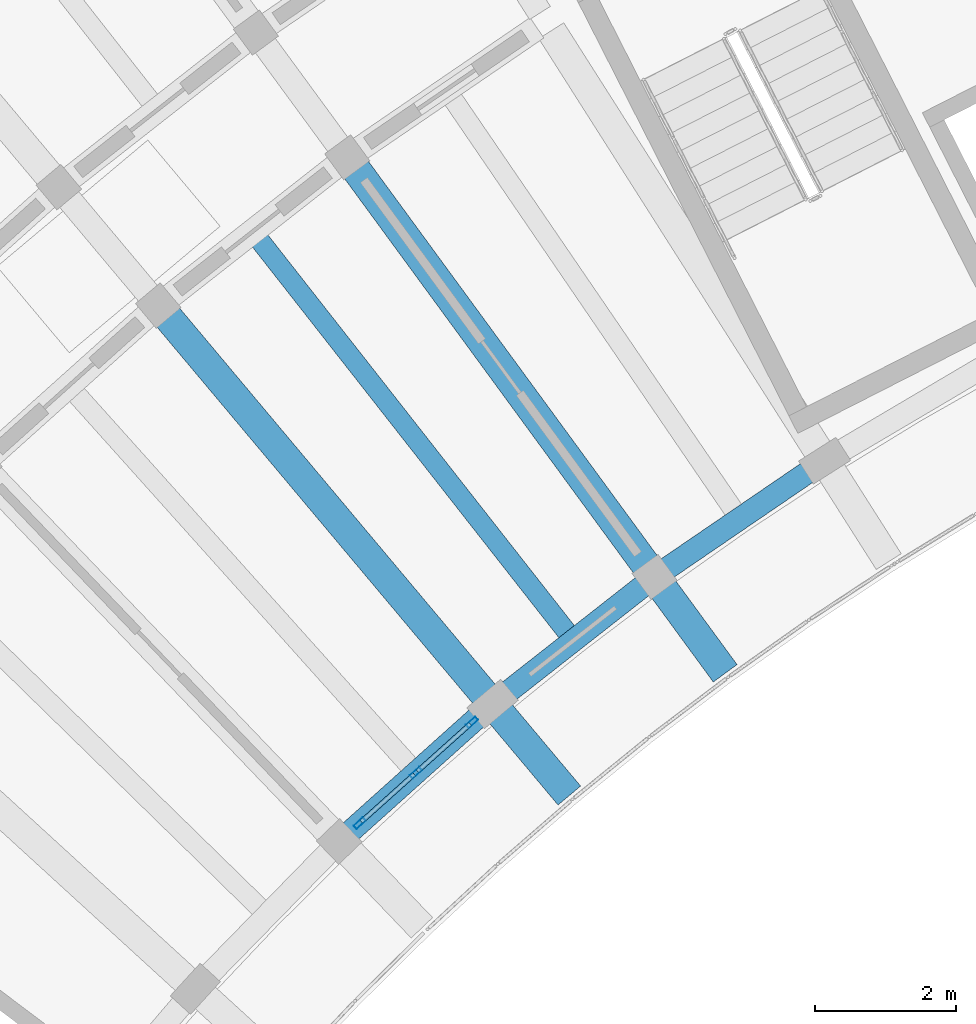
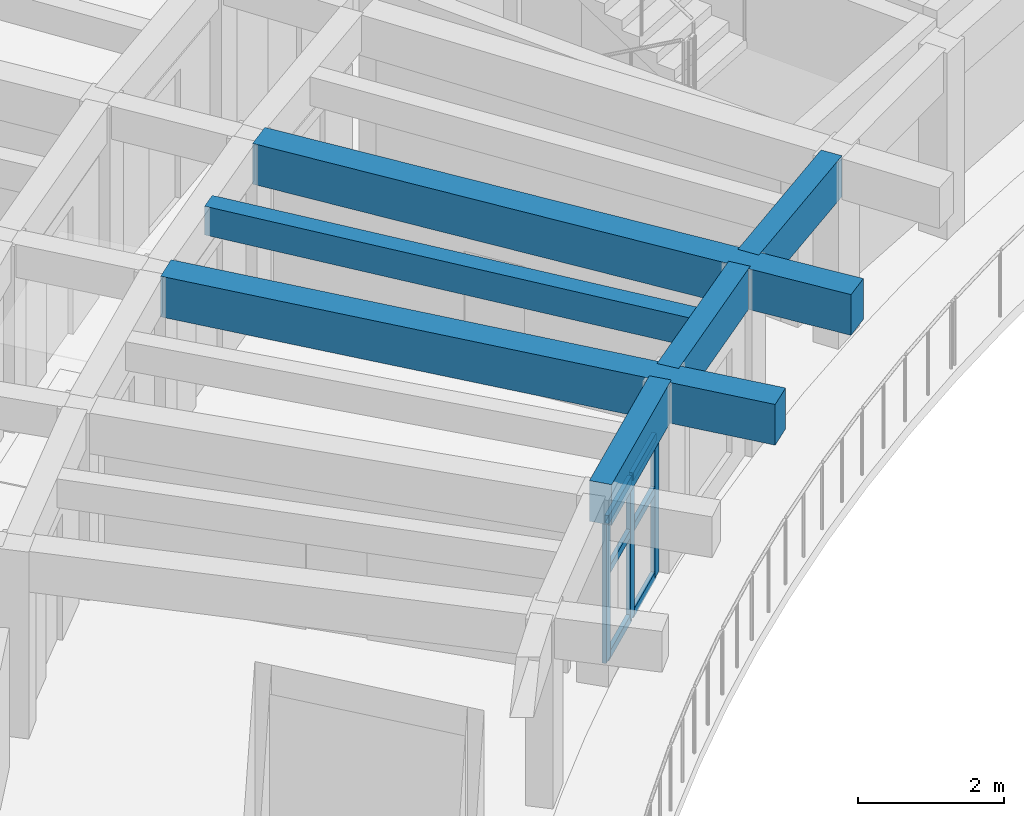
# One storey, part 4 of 19: 9 members, 6 beams, 1 element without a shape of its own.
"""IFC4 building model written with IfcOpenShell, lengths in metres."""

from ifc_helpers import new_model, si_unit, direction, frame, origin, origin_2d, place, context, subcontext, project, spatial, rectangle, hollow_rectangle, extrude, material, material_profile, profile_set, type_object, element, aggregate, save


model = new_model("IFC4")

# Units and contexts
model_context = context("Model", 3, precision=1e-05, world=origin(), true_north=direction((0.0, 1.0)))
body_context = subcontext(model_context, "Body", "Model", "MODEL_VIEW")
ifc_project = project(units=[si_unit("LENGTHUNIT", "METRE"), si_unit("AREAUNIT", "SQUARE_METRE"), si_unit("VOLUMEUNIT", "CUBIC_METRE"), si_unit("PLANEANGLEUNIT", "RADIAN"), si_unit("MASSUNIT", "GRAM", prefix="KILO")], contexts=[model_context])

# Site, building, storey
site_placement = place(None, origin())
site = spatial("IfcSite", under=ifc_project, at=site_placement, CompositionType="ELEMENT")
building_placement = place(site_placement, origin())
building = spatial("IfcBuilding", under=site, at=building_placement, Name="Tanwirah Colonnade Gardens", CompositionType="ELEMENT")
storey_placement = place(building_placement, frame((0.0, 0.0, 45.800048828125)))
storey = spatial("IfcBuildingStorey", under=building, at=storey_placement, Name="L13", CompositionType="ELEMENT", Elevation=45.800048828125)

# Beams
ifc_material_1 = material(Name="Precast concrete C45/55", Category="concrete")
ifc_material_profile_1 = material_profile(ifc_material_1, rectangle(XDim=0.419921875, YDim=0.679931640625, at=origin_2d()), Name="PC-BM 420x680")
ifc_profile_set_1 = profile_set([ifc_material_profile_1], Name="Precast concrete C45/55")
beam_type_1 = type_object("IfcBeamType", Name="BM-PC420", PredefinedType="BEAM", material=ifc_profile_set_1)
for number, where, z_axis, x_axis, name in (
    (1, (34.449462890625, 101.907958984375, 2.780029296875), (0.590927205009, -0.806724883947, 0.0), (0.806724883947, 0.590927205009, 0.0), "Block A L13 Inner Radial Precast Girder 8"),
    (2, (31.767822265625, 99.804443359375, 2.780029296875), (0.64279407932, -0.766039014406, 0.0), (0.766039014406, 0.64279407932, 0.0), "Block A L13 Inner Radial Precast Girder 9"),
):
    element("IfcBeam", number, at=place(storey_placement, frame(where, z_axis=z_axis, x_axis=x_axis)), inside=storey, type_object=beam_type_1, Name=name, PredefinedType="BEAM", context=body_context, shape_type="SweptSolid", body=[
        extrude(rectangle(XDim=0.419921875, YDim=0.679931640625, at=origin_2d()), origin(), (0.0, 0.0, 1.0), 8.949951171875),
    ])

# Curtain wall, members
ifc_material_2 = material(Name="Bronze-anodised aluminium and solar-control low-E glass", Category="aluminium")
curtain_wall_type = type_object("IfcCurtainWallType", Name="CW-GDN", PredefinedType="NOTDEFINED", material=ifc_material_2)
curtain_wall_placement = place(storey_placement, origin())
curtain_wall = element("IfcCurtainWall", 3, at=curtain_wall_placement, inside=storey, type_object=curtain_wall_type, Name="Curtain Wall CW-A-L13-IN-09", PredefinedType="NOTDEFINED")
ifc_material_3 = material(Name="Bronze-anodised aluminium", Category="aluminium")
ifc_material_profile_2 = material_profile(ifc_material_3, hollow_rectangle(XDim=0.06494140625, YDim=0.179931640625, WallThickness=0.00390625, at=origin_2d()), Name="CW-MUL 65x180x4")
ifc_profile_set_2 = profile_set([ifc_material_profile_2], Name="Bronze-anodised aluminium")
member_type_1 = type_object("IfcMemberType", Name="CWM-65x180", PredefinedType="MULLION", material=ifc_profile_set_2)
member_1_placement = place(storey_placement, frame((36.135986328125, 93.988525390625, 0.0), z_axis=(0.0, 0.0, 1.0), x_axis=(0.667689182798, -0.744440162253, 0.0)))
member_1 = element("IfcMember", 4, at=member_1_placement, type_object=member_type_1, Name="CW-GDN mullion 1", PredefinedType="MULLION", context=body_context, shape_type="SweptSolid", body=[
    extrude(hollow_rectangle(XDim=0.06494140625, YDim=0.179931640625, WallThickness=0.00390625, at=origin_2d()), origin(), (0.0, 0.0, 1.0), 2.35498046875),
])
member_2_placement = place(storey_placement, frame((35.33740234375, 93.2724609375, 0.0), z_axis=(0.0, 0.0, 1.0), x_axis=(0.667689182798, -0.744440162253, 0.0)))
member_2 = element("IfcMember", 5, at=member_2_placement, type_object=member_type_1, Name="CW-GDN mullion 2", PredefinedType="MULLION", context=body_context, shape_type="SweptSolid", body=[
    extrude(hollow_rectangle(XDim=0.06494140625, YDim=0.179931640625, WallThickness=0.00390625, at=origin_2d()), origin(), (0.0, 0.0, 1.0), 2.35498046875),
])
member_3_placement = place(storey_placement, frame((34.538818359375, 92.55615234375, 0.0), z_axis=(0.0, 0.0, 1.0), x_axis=(0.667689182798, -0.744440162253, 0.0)))
member_3 = element("IfcMember", 6, at=member_3_placement, type_object=member_type_1, Name="CW-GDN mullion 3", PredefinedType="MULLION", context=body_context, shape_type="SweptSolid", body=[
    extrude(hollow_rectangle(XDim=0.06494140625, YDim=0.179931640625, WallThickness=0.00390625, at=origin_2d()), origin(), (0.0, 0.0, 1.0), 2.35498046875),
])
ifc_material_profile_3 = material_profile(ifc_material_3, hollow_rectangle(XDim=0.06494140625, YDim=0.135009765625, WallThickness=0.00390625, at=origin_2d()), Name="CW-TRN 65x135x4")
ifc_profile_set_3 = profile_set([ifc_material_profile_3], Name="Bronze-anodised aluminium")
member_type_2 = type_object("IfcMemberType", Name="CWT-65x135", PredefinedType="USERDEFINED", material=ifc_profile_set_3)
member_4_placement = place(storey_placement, frame((36.11181640625, 93.966796875, 0.032470703125), z_axis=(-0.744581898821, -0.667531119835, 0.0), x_axis=(0.667531119835, -0.744581898821, 0.0)))
member_4 = element("IfcMember", 7, at=member_4_placement, type_object=member_type_2, Name="CW-GDN transom 1.1", ObjectType="TRANSOM", PredefinedType="USERDEFINED", context=body_context, shape_type="SweptSolid", body=[
    extrude(hollow_rectangle(XDim=0.06494140625, YDim=0.135009765625, WallThickness=0.00390625, at=origin_2d()), origin(), (0.0, 0.0, 1.0), 1.007568359375),
])
member_5_placement = place(storey_placement, frame((36.11181640625, 93.966796875, 1.4599609375), z_axis=(-0.744581898821, -0.667531119835, 0.0), x_axis=(0.667531119835, -0.744581898821, 0.0)))
member_5 = element("IfcMember", 8, at=member_5_placement, type_object=member_type_2, Name="CW-GDN transom 1.2", ObjectType="TRANSOM", PredefinedType="USERDEFINED", context=body_context, shape_type="SweptSolid", body=[
    extrude(hollow_rectangle(XDim=0.06494140625, YDim=0.135009765625, WallThickness=0.00390625, at=origin_2d()), origin(), (0.0, 0.0, 1.0), 1.007568359375),
])
member_6_placement = place(storey_placement, frame((36.11181640625, 93.966796875, 2.322509765625), z_axis=(-0.744581898821, -0.667531119835, 0.0), x_axis=(0.667531119835, -0.744581898821, 0.0)))
member_6 = element("IfcMember", 9, at=member_6_placement, type_object=member_type_2, Name="CW-GDN transom 1.3", ObjectType="TRANSOM", PredefinedType="USERDEFINED", context=body_context, shape_type="SweptSolid", body=[
    extrude(hollow_rectangle(XDim=0.06494140625, YDim=0.135009765625, WallThickness=0.00390625, at=origin_2d()), origin(), (0.0, 0.0, 1.0), 1.007568359375),
])
member_7_placement = place(storey_placement, frame((35.313232421875, 93.250732421875, 0.032470703125), z_axis=(-0.744461476402, -0.667665417821, 0.0), x_axis=(0.667665417821, -0.744461476402, 0.0)))
member_7 = element("IfcMember", 10, at=member_7_placement, type_object=member_type_2, Name="CW-GDN transom 2.1", ObjectType="TRANSOM", PredefinedType="USERDEFINED", context=body_context, shape_type="SweptSolid", body=[
    extrude(hollow_rectangle(XDim=0.06494140625, YDim=0.135009765625, WallThickness=0.00390625, at=origin_2d()), origin(), (0.0, 0.0, 1.0), 1.0078125),
])
member_8_placement = place(storey_placement, frame((35.313232421875, 93.250732421875, 1.4599609375), z_axis=(-0.744461476402, -0.667665417821, 0.0), x_axis=(0.667665417821, -0.744461476402, 0.0)))
member_8 = element("IfcMember", 11, at=member_8_placement, type_object=member_type_2, Name="CW-GDN transom 2.2", ObjectType="TRANSOM", PredefinedType="USERDEFINED", context=body_context, shape_type="SweptSolid", body=[
    extrude(hollow_rectangle(XDim=0.06494140625, YDim=0.135009765625, WallThickness=0.00390625, at=origin_2d()), origin(), (0.0, 0.0, 1.0), 1.0078125),
])
member_9_placement = place(storey_placement, frame((35.313232421875, 93.250732421875, 2.322509765625), z_axis=(-0.744461476402, -0.667665417821, 0.0), x_axis=(0.667665417821, -0.744461476402, 0.0)))
member_9 = element("IfcMember", 12, at=member_9_placement, type_object=member_type_2, Name="CW-GDN transom 2.3", ObjectType="TRANSOM", PredefinedType="USERDEFINED", context=body_context, shape_type="SweptSolid", body=[
    extrude(hollow_rectangle(XDim=0.06494140625, YDim=0.135009765625, WallThickness=0.00390625, at=origin_2d()), origin(), (0.0, 0.0, 1.0), 1.0078125),
])
aggregate(curtain_wall, [member_1, member_2, member_3, member_4, member_5, member_6, member_7, member_8, member_9])

# Beams
ifc_material_4 = material(Name="Precast concrete C40/50", Category="concrete")
ifc_material_profile_4 = material_profile(ifc_material_4, rectangle(XDim=0.280029296875, YDim=0.47998046875, at=origin_2d()), Name="PC-JST 280x480")
ifc_profile_set_4 = profile_set([ifc_material_profile_4], Name="Precast concrete C40/50")
beam_type_2 = type_object("IfcBeamType", Name="JST-PC280", PredefinedType="JOIST", material=ifc_profile_set_4)
beam_placement = place(storey_placement, frame((37.491943359375, 95.268310546875, 2.8798828125), z_axis=(-0.617202438917, 0.786804390808, 0.0), x_axis=(-0.786804390808, -0.617202438917, 0.0)))
element("IfcBeam", 13, at=beam_placement, inside=storey, type_object=beam_type_2, Name="Block A L13 Inner Precast Floor Joist 8", PredefinedType="JOIST", context=body_context, shape_type="SweptSolid", body=[
    extrude(rectangle(XDim=0.280029296875, YDim=0.47998046875, at=origin_2d()), origin(), (0.0, 0.0, 1.0), 7.159912109375),
])
ifc_material_profile_5 = material_profile(ifc_material_1, rectangle(XDim=0.320068359375, YDim=0.679931640625, at=origin_2d()), Name="PC-SP 320x680")
ifc_profile_set_5 = profile_set([ifc_material_profile_5], Name="Precast concrete C45/55")
beam_type_3 = type_object("IfcBeamType", Name="SP-PC320", PredefinedType="SPANDREL", material=ifc_profile_set_5)
for number, where, z_axis, x_axis, name in (
    (14, (41.029541015625, 97.627197265625, 2.780029296875), (-0.825800981874, -0.563961646158, 0.0), (0.563961646158, -0.825800981874, 0.0), "Block A L13 Circumferential Beam 7-R0"),
    (15, (38.61572265625, 95.966552734375, 2.780029296875), (-0.786836625031, -0.617161344795, 0.0), (0.617161344795, -0.786836625031, 0.0), "Block A L13 Circumferential Beam 8-R0"),
    (16, (36.31640625, 94.150634765625, 2.780029296875), (-0.744400790288, -0.667733077972, 0.0), (0.667733077972, -0.744400790288, 0.0), "Block A L13 Circumferential Beam 9-R0"),
):
    element("IfcBeam", number, at=place(storey_placement, frame(where, z_axis=z_axis, x_axis=x_axis)), inside=storey, type_object=beam_type_3, Name=name, PredefinedType="SPANDREL", context=body_context, shape_type="SweptSolid", body=[
        extrude(rectangle(XDim=0.320068359375, YDim=0.679931640625, at=origin_2d()), origin(), (0.0, 0.0, 1.0), 2.63037109375),
    ])

save(model, "model.ifc")
